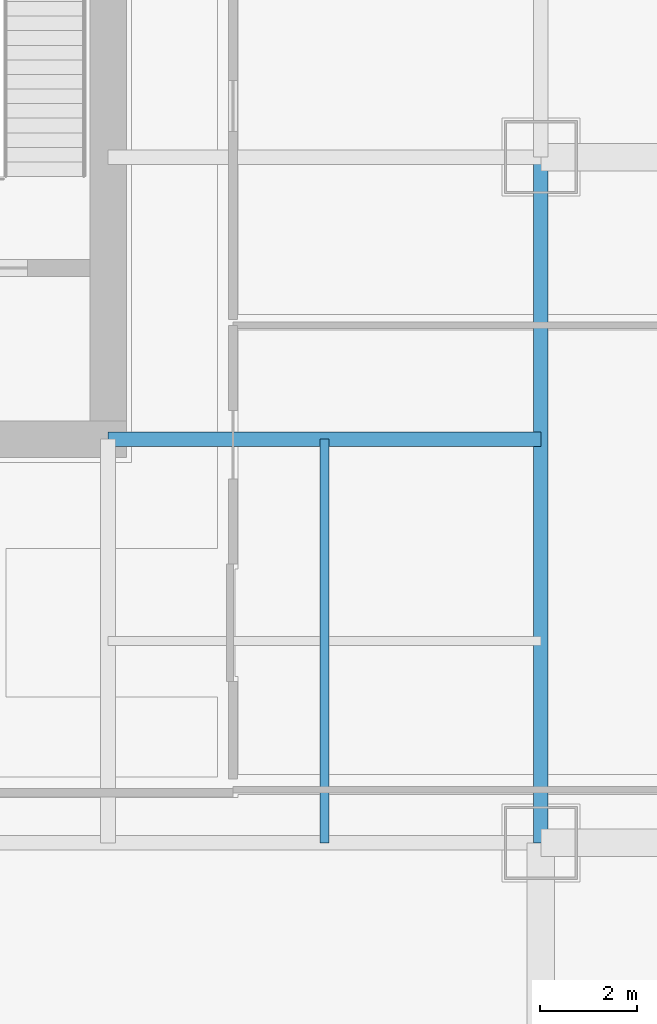
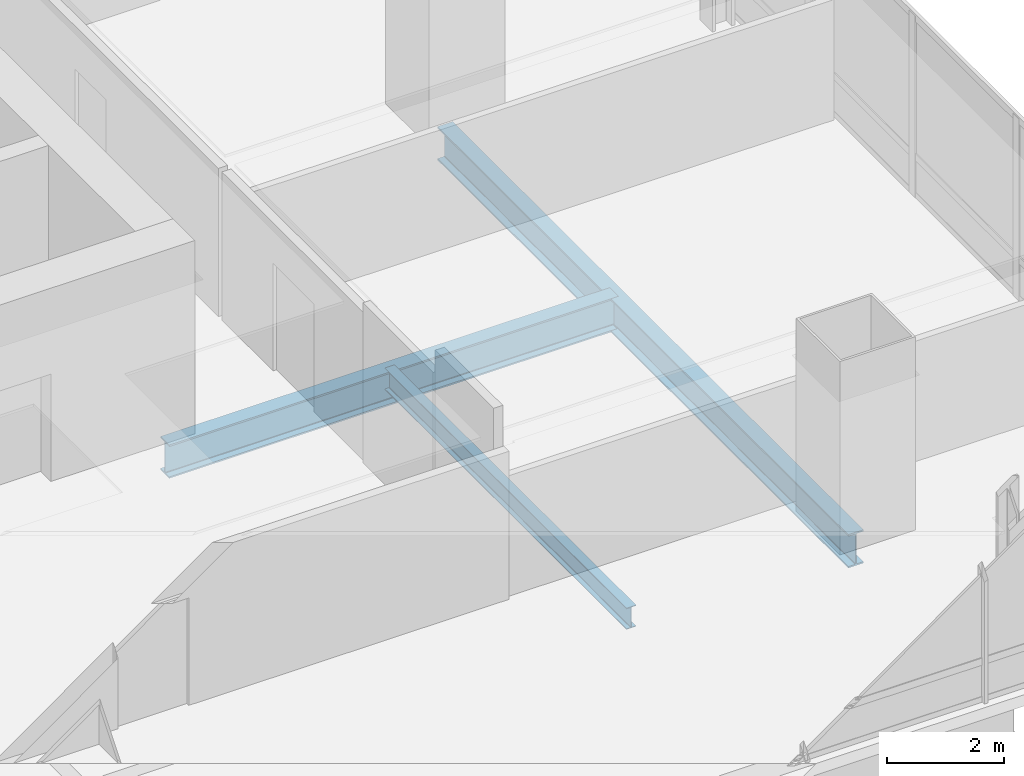
# One storey, part 13 of 35: 3 beams.
"""IFC4 building model written with IfcOpenShell, lengths in metres."""

from ifc_helpers import new_model, si_unit, direction, frame, origin, origin_2d, place, context, subcontext, project, spatial, i_section, extrude, material, material_profile, profile_set, type_object, element, save


model = new_model("IFC4")

# Units and contexts
model_context = context("Model", 3, precision=1e-05, world=origin(), true_north=direction((0.0, 1.0)))
body_context = subcontext(model_context, "Body", "Model", "MODEL_VIEW")
ifc_project = project(units=[si_unit("LENGTHUNIT", "METRE"), si_unit("AREAUNIT", "SQUARE_METRE"), si_unit("VOLUMEUNIT", "CUBIC_METRE"), si_unit("PLANEANGLEUNIT", "RADIAN"), si_unit("MASSUNIT", "GRAM", prefix="KILO")], contexts=[model_context])

# Site, building, storey
site_placement = place(None, origin())
site = spatial("IfcSite", under=ifc_project, at=site_placement, CompositionType="ELEMENT")
building_placement = place(site_placement, origin())
building = spatial("IfcBuilding", under=site, at=building_placement, Name="Punatoya Terracotta Tower", CompositionType="ELEMENT")
storey_placement = place(building_placement, frame((0.0, 0.0, 64.64990234375)))
storey = spatial("IfcBuildingStorey", under=building, at=storey_placement, Name="L14", CompositionType="ELEMENT", Elevation=64.64990234375)

# Beams
ifc_material = material(Name="Steel S355", Category="steel")
ifc_material_profile_1 = material_profile(ifc_material, i_section(OverallWidth=0.300048828125, OverallDepth=0.699951171875, WebThickness=0.01708984375, FlangeThickness=0.031982421875, FilletRadius=0.01806640625, at=origin_2d()))
ifc_profile_set_1 = profile_set([ifc_material_profile_1], Name="Steel S355")
beam_type_1 = type_object("IfcBeamType", Name="BM-PRI-700", PredefinedType="BEAM", material=ifc_profile_set_1)
beam_1_placement = place(storey_placement, frame((19.10009765625, -17.5, -0.58984375), z_axis=(0.0, 1.0, 0.0), x_axis=(-1.0, 0.0, 0.0)))
element("IfcBeam", 1, at=beam_1_placement, inside=storey, type_object=beam_type_1, Name="BM-L14-RG-E1", PredefinedType="BEAM", context=body_context, shape_type="SweptSolid", body=[
    extrude(i_section(OverallWidth=0.300048828125, OverallDepth=0.699951171875, WebThickness=0.01708984375, FlangeThickness=0.031982421875, FilletRadius=0.01806640625, at=origin_2d()), origin(), (0.0, 0.0, 1.0), 14.10009765625),
])
beam_2_placement = place(storey_placement, frame((10.199951171875, -9.199951171875, -0.58984375), z_axis=(1.0, 0.0, 0.0), x_axis=(0.0, 1.0, 0.0)))
element("IfcBeam", 2, at=beam_2_placement, inside=storey, type_object=beam_type_1, Name="BM-L14-PR-ES", PredefinedType="BEAM", context=body_context, shape_type="SweptSolid", body=[
    extrude(i_section(OverallWidth=0.300048828125, OverallDepth=0.699951171875, WebThickness=0.01708984375, FlangeThickness=0.031982421875, FilletRadius=0.01806640625, at=origin_2d()), origin(), (0.0, 0.0, 1.0), 8.900146484375),
])
ifc_material_profile_2 = material_profile(ifc_material, i_section(OverallWidth=0.18994140625, OverallDepth=0.449951171875, WebThickness=0.009521484375, FlangeThickness=0.0146484375, FilletRadius=0.01806640625, at=origin_2d()))
ifc_profile_set_2 = profile_set([ifc_material_profile_2], Name="Steel S355")
beam_type_2 = type_object("IfcBeamType", Name="BM-SEC-450", PredefinedType="JOIST", material=ifc_profile_set_2)
beam_3_placement = place(storey_placement, frame((14.64990234375, -17.5, -0.46484375), z_axis=(0.0, 1.0, 0.0), x_axis=(-1.0, 0.0, 0.0)))
element("IfcBeam", 3, at=beam_3_placement, inside=storey, type_object=beam_type_2, Name="BM-L14-SJE-1", PredefinedType="JOIST", context=body_context, shape_type="SweptSolid", body=[
    extrude(i_section(OverallWidth=0.18994140625, OverallDepth=0.449951171875, WebThickness=0.009521484375, FlangeThickness=0.0146484375, FilletRadius=0.01806640625, at=origin_2d()), origin(), (0.0, 0.0, 1.0), 8.300048828125),
])

save(model, "model.ifc")
